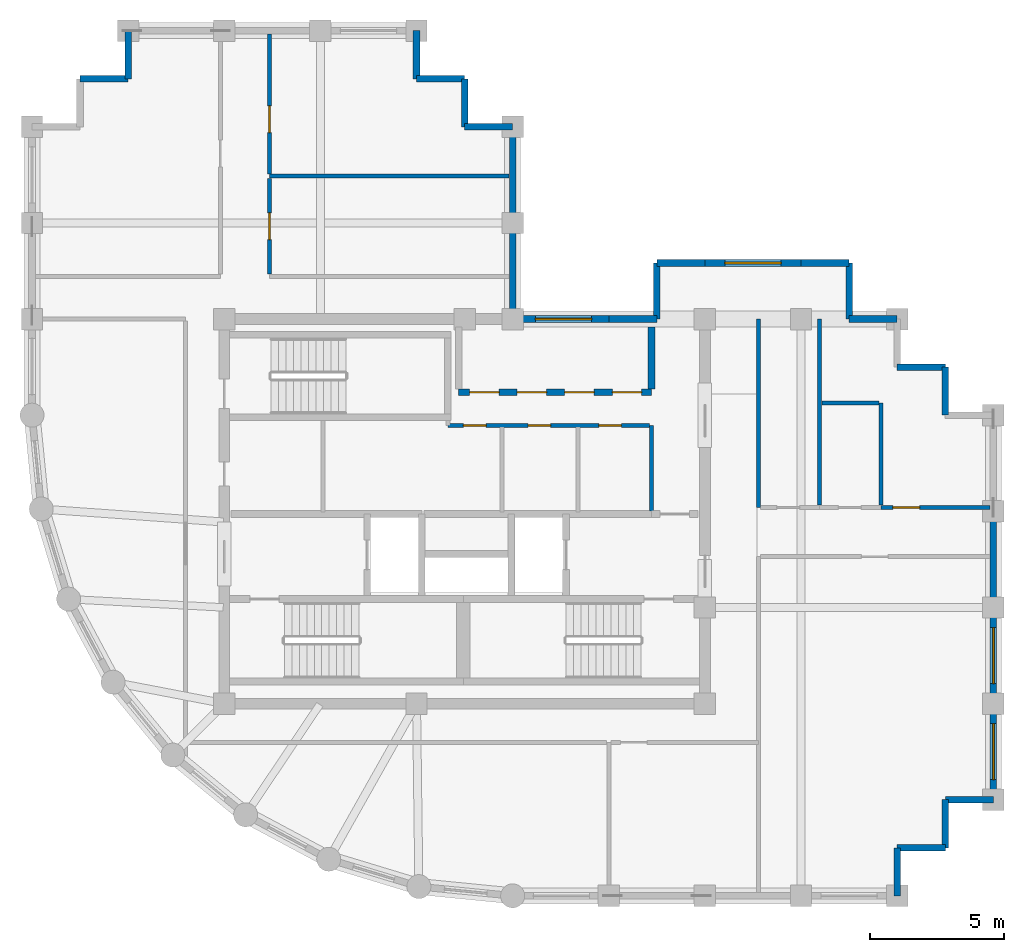
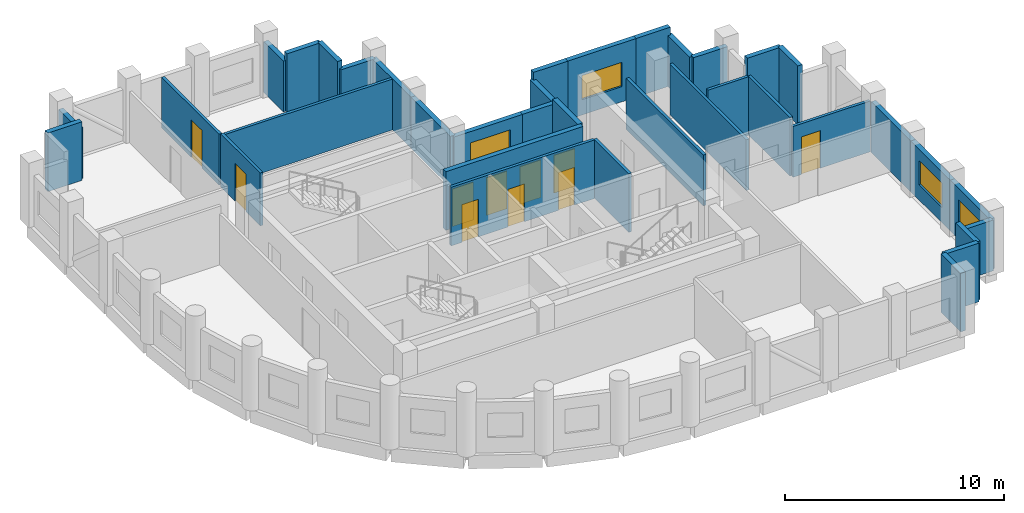
# One storey, part 4 of 6: 37 walls, 10 doors, 4 windows, 14 openings.
"""IFC4 building model written with IfcOpenShell, lengths in metres."""

from ifc_helpers import new_model, si_unit, direction, frame, frame_2d, origin, place, context, subcontext, project, spatial, rectangle, extrude, material, layer, layer_set, type_object, element, fill, save


model = new_model("IFC4")

# Units and contexts
model_context = context("Model", 3, precision=1e-05, world=origin(), true_north=direction((0.0, 1.0)))
body_context = subcontext(model_context, "Body", "Model", "MODEL_VIEW")
ifc_project = project(units=[si_unit("LENGTHUNIT", "METRE"), si_unit("AREAUNIT", "SQUARE_METRE"), si_unit("VOLUMEUNIT", "CUBIC_METRE"), si_unit("PLANEANGLEUNIT", "RADIAN"), si_unit("MASSUNIT", "GRAM", prefix="KILO")], contexts=[model_context])

# Site, building, storey
site_placement = place(None, origin())
site = spatial("IfcSite", under=ifc_project, at=site_placement, CompositionType="ELEMENT")
building_placement = place(site_placement, origin())
building = spatial("IfcBuilding", under=site, at=building_placement, Name="Solnavia Interchange Tower", CompositionType="ELEMENT")
storey_placement = place(building_placement, frame((0.0, 0.0, 246.199951171875)))
storey = spatial("IfcBuildingStorey", under=building, at=storey_placement, Name="L62", CompositionType="ELEMENT", Elevation=246.199951171875)

# Walls
ifc_material_1 = material(Name="Concrete C40/50", Category="concrete")
ifc_layer_1 = layer(ifc_material_1, 0.25)
ifc_layer_set_1 = layer_set([ifc_layer_1], Name="Concrete C40/50")
wall_type_1 = type_object("IfcWallType", Name="Wall-ExtSpandrel-250", PredefinedType="STANDARD", material=ifc_layer_set_1)
for number, where, z_axis, x_axis, name in (
    (1, (39.60009765625, 5.39990234375, 0.0), (0.0, 0.0, 1.0), (0.0, -1.0, 0.0), "EXW-L62-05 Exterior precast spandrel wall"),
    (2, (41.39990234375, 5.39990234375, 0.0), (0.0, 0.0, 1.0), (-1.0, 0.0, 0.0), "EXW-L62-06 Exterior precast spandrel wall"),
):
    element("IfcWall", number, at=place(storey_placement, frame(where, z_axis=z_axis, x_axis=x_axis)), inside=storey, type_object=wall_type_1, Name=name, PredefinedType="STANDARD", context=body_context, shape_type="SweptSolid", body=[
        extrude(rectangle(XDim=1.7998046875, YDim=0.25, at=frame_2d((0.89990234375, 0.0))), origin(), (0.0, 0.0, 1.0), 3.26513671875),
    ])
wall_1_placement = place(storey_placement, frame((41.39990234375, 7.199951171875, 0.0), z_axis=(0.0, 0.0, 1.0), x_axis=(0.0, -1.0, 0.0)))
element("IfcWall", 3, at=wall_1_placement, inside=storey, type_object=wall_type_1, Name="EXW-L62-07 Exterior precast spandrel wall", PredefinedType="STANDARD", context=body_context, shape_type="SweptSolid", body=[
    extrude(rectangle(XDim=1.800048828125, YDim=0.25, at=frame_2d((0.89990234375, 0.0))), origin(), (0.0, 0.0, 1.0), 3.26513671875),
])
wall_2_placement = place(storey_placement, frame((43.199951171875, 7.199951171875, 0.0), z_axis=(0.0, 0.0, 1.0), x_axis=(-1.0, 0.0, 0.0)))
element("IfcWall", 4, at=wall_2_placement, inside=storey, type_object=wall_type_1, Name="EXW-L62-08 Exterior precast spandrel wall", PredefinedType="STANDARD", context=body_context, shape_type="SweptSolid", body=[
    extrude(rectangle(XDim=1.800048828125, YDim=0.25, at=frame_2d((0.89990234375, 0.0))), origin(), (0.0, 0.0, 1.0), 2.830078125),
])

# Wall, opening, window
wall_3_placement = place(storey_placement, frame((43.199951171875, 10.800048828125, 0.0), z_axis=(0.0, 0.0, 1.0), x_axis=(0.0, -1.0, 0.0)))
wall_3 = element("IfcWall", 5, at=wall_3_placement, inside=storey, type_object=wall_type_1, Name="EXW-L62-09 Exterior precast spandrel wall", PredefinedType="STANDARD", context=body_context, shape_type="SweptSolid", body=[
    extrude(rectangle(XDim=3.60009765625, YDim=0.25, at=frame_2d((1.800048828125, 0.0))), origin(), (0.0, 0.0, 1.0), 2.830078125),
])
opening_1_placement = place(wall_3_placement, frame((0.75, 0.0, 0.85009765625)))
opening_1 = element("IfcOpeningElement", 6, at=opening_1_placement, cuts=wall_3, Name="Opening WIN-01", PredefinedType="OPENING", context=body_context, shape_type="SweptSolid", body=[
    extrude(rectangle(XDim=2.10009765625, YDim=1.35009765625, at=frame_2d((1.050048828125, 0.675048828125))), frame((0.0, 0.135009765625, 0.0), z_axis=(0.0, -1.0, 0.0), x_axis=(1.0, 0.0, 0.0)), (0.0, 0.0, 1.0), 0.27001953125),
])
ifc_material_2 = material(Name="Thermal-Break Aluminium & Low-E Glass", Category="aluminium")
window_type = type_object("IfcWindowType", Name="Window-Ribbon-2100x1350", PartitioningType="SINGLE_PANEL", PredefinedType="WINDOW", material=ifc_material_2)
window_1_placement = place(opening_1_placement, origin())
window_1 = element("IfcWindow", 7, at=window_1_placement, inside=storey, type_object=window_type, Name="WIN-L62-09 Facade ribbon window", OverallHeight=1.35009765625, OverallWidth=2.10009765625, PartitioningType="SINGLE_PANEL", PredefinedType="WINDOW", context=body_context, shape_type="SweptSolid", body=[
    extrude(rectangle(XDim=2.10009765625, YDim=1.35009765625, at=frame_2d((1.050048828125, 0.675048828125))), frame((0.0, 0.030029296875, 0.0), z_axis=(0.0, -1.0, 0.0), x_axis=(1.0, 0.0, 0.0)), (0.0, 0.0, 1.0), 0.06005859375),
])
fill(opening_1, window_1)

wall_4_placement = place(storey_placement, frame((43.199951171875, 14.39990234375, 0.0), z_axis=(0.0, 0.0, 1.0), x_axis=(0.0, -1.0, 0.0)))
wall_4 = element("IfcWall", 8, at=wall_4_placement, inside=storey, type_object=wall_type_1, Name="EXW-L62-10 Exterior precast spandrel wall", PredefinedType="STANDARD", context=body_context, shape_type="SweptSolid", body=[
    extrude(rectangle(XDim=3.599853515625, YDim=0.25, at=frame_2d((1.7998046875, 0.0))), origin(), (0.0, 0.0, 1.0), 2.830078125),
])
opening_2_placement = place(wall_4_placement, frame((0.75, 0.0, 0.85009765625)))
opening_2 = element("IfcOpeningElement", 9, at=opening_2_placement, cuts=wall_4, Name="Opening WIN-01", PredefinedType="OPENING", context=body_context, shape_type="SweptSolid", body=[
    extrude(rectangle(XDim=2.10009765625, YDim=1.35009765625, at=frame_2d((1.050048828125, 0.675048828125))), frame((0.0, 0.135009765625, 0.0), z_axis=(0.0, -1.0, 0.0), x_axis=(1.0, 0.0, 0.0)), (0.0, 0.0, 1.0), 0.27001953125),
])
window_2_placement = place(opening_2_placement, origin())
window_2 = element("IfcWindow", 10, at=window_2_placement, inside=storey, type_object=window_type, Name="WIN-L62-10 Facade ribbon window", OverallHeight=1.35009765625, OverallWidth=2.10009765625, PartitioningType="SINGLE_PANEL", PredefinedType="WINDOW", context=body_context, shape_type="SweptSolid", body=[
    extrude(rectangle(XDim=2.10009765625, YDim=1.35009765625, at=frame_2d((1.050048828125, 0.675048828125))), frame((0.0, 0.030029296875, 0.0), z_axis=(0.0, -1.0, 0.0), x_axis=(1.0, 0.0, 0.0)), (0.0, 0.0, 1.0), 0.06005859375),
])
fill(opening_2, window_2)

# Walls
wall_5_placement = place(storey_placement, frame((43.199951171875, 18.0, 0.0), z_axis=(0.0, 0.0, 1.0), x_axis=(0.0, -1.0, 0.0)))
element("IfcWall", 11, at=wall_5_placement, inside=storey, type_object=wall_type_1, Name="EXW-L62-11 Exterior precast spandrel wall", PredefinedType="STANDARD", context=body_context, shape_type="SweptSolid", body=[
    extrude(rectangle(XDim=3.60009765625, YDim=0.25, at=frame_2d((1.800048828125, 0.0))), origin(), (0.0, 0.0, 1.0), 2.830078125),
])
for number, where, z_axis, x_axis, name in (
    (12, (41.39990234375, 23.39990234375, 0.0), (0.0, 0.0, 1.0), (0.0, -1.0, 0.0), "EXW-L62-14 Exterior precast spandrel wall"),
    (13, (39.60009765625, 23.39990234375, 0.0), (0.0, 0.0, 1.0), (1.0, 0.0, 0.0), "EXW-L62-15 Exterior precast spandrel wall"),
):
    element("IfcWall", number, at=place(storey_placement, frame(where, z_axis=z_axis, x_axis=x_axis)), inside=storey, type_object=wall_type_1, Name=name, PredefinedType="STANDARD", context=body_context, shape_type="SweptSolid", body=[
        extrude(rectangle(XDim=1.7998046875, YDim=0.25, at=frame_2d((0.89990234375, 0.0))), origin(), (0.0, 0.0, 1.0), 3.26513671875),
    ])
wall_6_placement = place(storey_placement, frame((37.800048828125, 25.199951171875, 0.0), z_axis=(0.0, 0.0, 1.0), x_axis=(1.0, 0.0, 0.0)))
element("IfcWall", 14, at=wall_6_placement, inside=storey, type_object=wall_type_1, Name="EXW-L62-17 Exterior precast spandrel wall", PredefinedType="STANDARD", context=body_context, shape_type="SweptSolid", body=[
    extrude(rectangle(XDim=1.800048828125, YDim=0.25, at=frame_2d((0.89990234375, 0.0))), origin(), (0.0, 0.0, 1.0), 2.830078125),
])
wall_7_placement = place(storey_placement, frame((37.800048828125, 27.300048828125, 0.0), z_axis=(0.0, 0.0, 1.0), x_axis=(0.0, -1.0, 0.0)))
element("IfcWall", 15, at=wall_7_placement, inside=storey, type_object=wall_type_1, Name="EXW-L62-18 Exterior precast spandrel wall", PredefinedType="STANDARD", context=body_context, shape_type="SweptSolid", body=[
    extrude(rectangle(XDim=2.10009765625, YDim=0.25, at=frame_2d((1.050048828125, 0.0))), origin(), (0.0, 0.0, 1.0), 2.830078125),
])
wall_8_placement = place(storey_placement, frame((36.0, 27.300048828125, 0.0), z_axis=(0.0, 0.0, 1.0), x_axis=(1.0, 0.0, 0.0)))
element("IfcWall", 16, at=wall_8_placement, inside=storey, type_object=wall_type_1, Name="EXW-L62-19 Exterior precast spandrel wall", PredefinedType="STANDARD", context=body_context, shape_type="SweptSolid", body=[
    extrude(rectangle(XDim=1.800048828125, YDim=0.25, at=frame_2d((0.89990234375, 0.0))), origin(), (0.0, 0.0, 1.0), 3.26513671875),
])

# Wall, opening, window
wall_9_placement = place(storey_placement, frame((32.39990234375, 27.300048828125, 0.0), z_axis=(0.0, 0.0, 1.0), x_axis=(1.0, 0.0, 0.0)))
wall_9 = element("IfcWall", 17, at=wall_9_placement, inside=storey, type_object=wall_type_1, Name="EXW-L62-20 Exterior precast spandrel wall", PredefinedType="STANDARD", context=body_context, shape_type="SweptSolid", body=[
    extrude(rectangle(XDim=3.60009765625, YDim=0.25, at=frame_2d((1.800048828125, 0.0))), origin(), (0.0, 0.0, 1.0), 3.26513671875),
])
opening_3_placement = place(wall_9_placement, frame((0.75, 0.0, 0.85009765625)))
opening_3 = element("IfcOpeningElement", 18, at=opening_3_placement, cuts=wall_9, Name="Opening WIN-01", PredefinedType="OPENING", context=body_context, shape_type="SweptSolid", body=[
    extrude(rectangle(XDim=2.10009765625, YDim=1.35009765625, at=frame_2d((1.050048828125, 0.675048828125))), frame((0.0, 0.135009765625, 0.0), z_axis=(0.0, -1.0, 0.0), x_axis=(1.0, 0.0, 0.0)), (0.0, 0.0, 1.0), 0.27001953125),
])
window_3_placement = place(opening_3_placement, origin())
window_3 = element("IfcWindow", 19, at=window_3_placement, inside=storey, type_object=window_type, Name="WIN-L62-20 Facade ribbon window", OverallHeight=1.35009765625, OverallWidth=2.10009765625, PartitioningType="SINGLE_PANEL", PredefinedType="WINDOW", context=body_context, shape_type="SweptSolid", body=[
    extrude(rectangle(XDim=2.10009765625, YDim=1.35009765625, at=frame_2d((1.050048828125, 0.675048828125))), frame((0.0, 0.030029296875, 0.0), z_axis=(0.0, -1.0, 0.0), x_axis=(1.0, 0.0, 0.0)), (0.0, 0.0, 1.0), 0.06005859375),
])
fill(opening_3, window_3)

# Walls
wall_10_placement = place(storey_placement, frame((30.60009765625, 27.300048828125, 0.0), z_axis=(0.0, 0.0, 1.0), x_axis=(1.0, 0.0, 0.0)))
element("IfcWall", 20, at=wall_10_placement, inside=storey, type_object=wall_type_1, Name="EXW-L62-21 Exterior precast spandrel wall", PredefinedType="STANDARD", context=body_context, shape_type="SweptSolid", body=[
    extrude(rectangle(XDim=1.7998046875, YDim=0.25, at=frame_2d((0.89990234375, 0.0))), origin(), (0.0, 0.0, 1.0), 3.26513671875),
])
wall_11_placement = place(storey_placement, frame((30.60009765625, 27.300048828125, 0.0), z_axis=(0.0, 0.0, 1.0), x_axis=(0.0, -1.0, 0.0)))
element("IfcWall", 21, at=wall_11_placement, inside=storey, type_object=wall_type_1, Name="EXW-L62-22 Exterior precast spandrel wall", PredefinedType="STANDARD", context=body_context, shape_type="SweptSolid", body=[
    extrude(rectangle(XDim=2.10009765625, YDim=0.25, at=frame_2d((1.050048828125, 0.0))), origin(), (0.0, 0.0, 1.0), 2.830078125),
])
wall_12_placement = place(storey_placement, frame((28.800048828125, 25.199951171875, 0.0), z_axis=(0.0, 0.0, 1.0), x_axis=(1.0, 0.0, 0.0)))
element("IfcWall", 22, at=wall_12_placement, inside=storey, type_object=wall_type_1, Name="EXW-L62-23 Exterior precast spandrel wall", PredefinedType="STANDARD", context=body_context, shape_type="SweptSolid", body=[
    extrude(rectangle(XDim=1.800048828125, YDim=0.25, at=frame_2d((0.89990234375, 0.0))), origin(), (0.0, 0.0, 1.0), 2.830078125),
])

# Wall, opening, window
wall_13_placement = place(storey_placement, frame((25.199951171875, 25.199951171875, 0.0), z_axis=(0.0, 0.0, 1.0), x_axis=(1.0, 0.0, 0.0)))
wall_13 = element("IfcWall", 23, at=wall_13_placement, inside=storey, type_object=wall_type_1, Name="EXW-L62-24 Exterior precast spandrel wall", PredefinedType="STANDARD", context=body_context, shape_type="SweptSolid", body=[
    extrude(rectangle(XDim=3.60009765625, YDim=0.25, at=frame_2d((1.800048828125, 0.0))), origin(), (0.0, 0.0, 1.0), 2.830078125),
])
opening_4_placement = place(wall_13_placement, frame((0.85498046875, 0.0, 0.85009765625)))
opening_4 = element("IfcOpeningElement", 24, at=opening_4_placement, cuts=wall_13, Name="Opening WIN-01", PredefinedType="OPENING", context=body_context, shape_type="SweptSolid", body=[
    extrude(rectangle(XDim=2.10009765625, YDim=1.35009765625, at=frame_2d((1.050048828125, 0.675048828125))), frame((0.0, 0.135009765625, 0.0), z_axis=(0.0, -1.0, 0.0), x_axis=(1.0, 0.0, 0.0)), (0.0, 0.0, 1.0), 0.27001953125),
])
window_4_placement = place(opening_4_placement, origin())
window_4 = element("IfcWindow", 25, at=window_4_placement, inside=storey, type_object=window_type, Name="WIN-L62-24 Facade ribbon window", OverallHeight=1.35009765625, OverallWidth=2.10009765625, PartitioningType="SINGLE_PANEL", PredefinedType="WINDOW", context=body_context, shape_type="SweptSolid", body=[
    extrude(rectangle(XDim=2.10009765625, YDim=1.35009765625, at=frame_2d((1.050048828125, 0.675048828125))), frame((0.0, 0.030029296875, 0.0), z_axis=(0.0, -1.0, 0.0), x_axis=(1.0, 0.0, 0.0)), (0.0, 0.0, 1.0), 0.06005859375),
])
fill(opening_4, window_4)

# Walls
wall_14_placement = place(storey_placement, frame((25.199951171875, 28.800048828125, 0.0), z_axis=(0.0, 0.0, 1.0), x_axis=(0.0, -1.0, 0.0)))
element("IfcWall", 26, at=wall_14_placement, inside=storey, type_object=wall_type_1, Name="EXW-L62-25 Exterior precast spandrel wall", PredefinedType="STANDARD", context=body_context, shape_type="SweptSolid", body=[
    extrude(rectangle(XDim=3.60009765625, YDim=0.25, at=frame_2d((1.800048828125, 0.0))), origin(), (0.0, 0.0, 1.0), 2.830078125),
])
wall_15_placement = place(storey_placement, frame((25.199951171875, 32.39990234375, 0.0), z_axis=(0.0, 0.0, 1.0), x_axis=(0.0, -1.0, 0.0)))
element("IfcWall", 27, at=wall_15_placement, inside=storey, type_object=wall_type_1, Name="EXW-L62-26 Exterior precast spandrel wall", PredefinedType="STANDARD", context=body_context, shape_type="SweptSolid", body=[
    extrude(rectangle(XDim=3.599853515625, YDim=0.25, at=frame_2d((1.7998046875, 0.0))), origin(), (0.0, 0.0, 1.0), 2.830078125),
])
wall_16_placement = place(storey_placement, frame((23.39990234375, 32.39990234375, 0.0), z_axis=(0.0, 0.0, 1.0), x_axis=(1.0, 0.0, 0.0)))
element("IfcWall", 28, at=wall_16_placement, inside=storey, type_object=wall_type_1, Name="EXW-L62-27 Exterior precast spandrel wall", PredefinedType="STANDARD", context=body_context, shape_type="SweptSolid", body=[
    extrude(rectangle(XDim=1.800048828125, YDim=0.25, at=frame_2d((0.89990234375, 0.0))), origin(), (0.0, 0.0, 1.0), 2.830078125),
])
wall_17_placement = place(storey_placement, frame((23.39990234375, 32.39990234375, 0.0), z_axis=(0.0, 0.0, 1.0), x_axis=(0.0, 1.0, 0.0)))
element("IfcWall", 29, at=wall_17_placement, inside=storey, type_object=wall_type_1, Name="EXW-L62-28 Exterior precast spandrel wall", PredefinedType="STANDARD", context=body_context, shape_type="SweptSolid", body=[
    extrude(rectangle(XDim=1.800048828125, YDim=0.25, at=frame_2d((0.89990234375, 0.0))), origin(), (0.0, 0.0, 1.0), 3.26513671875),
])
wall_18_placement = place(storey_placement, frame((21.60009765625, 34.199951171875, 0.0), z_axis=(0.0, 0.0, 1.0), x_axis=(1.0, 0.0, 0.0)))
element("IfcWall", 30, at=wall_18_placement, inside=storey, type_object=wall_type_1, Name="EXW-L62-29 Exterior precast spandrel wall", PredefinedType="STANDARD", context=body_context, shape_type="SweptSolid", body=[
    extrude(rectangle(XDim=1.7998046875, YDim=0.25, at=frame_2d((0.89990234375, 0.0))), origin(), (0.0, 0.0, 1.0), 3.26513671875),
])
for number, where, z_axis, x_axis, name in (
    (31, (21.60009765625, 34.199951171875, 0.0), (0.0, 0.0, 1.0), (0.0, 1.0, 0.0), "EXW-L62-30 Exterior precast spandrel wall"),
    (32, (10.800048828125, 34.199951171875, 0.0), (0.0, 0.0, 1.0), (0.0, 1.0, 0.0), "EXW-L62-34 Exterior precast spandrel wall"),
):
    element("IfcWall", number, at=place(storey_placement, frame(where, z_axis=z_axis, x_axis=x_axis)), inside=storey, type_object=wall_type_1, Name=name, PredefinedType="STANDARD", context=body_context, shape_type="SweptSolid", body=[
        extrude(rectangle(XDim=1.800048828125, YDim=0.25, at=frame_2d((0.89990234375, 0.0))), origin(), (0.0, 0.0, 1.0), 2.830078125),
    ])
wall_19_placement = place(storey_placement, frame((9.0, 34.199951171875, 0.0), z_axis=(0.0, 0.0, 1.0), x_axis=(1.0, 0.0, 0.0)))
element("IfcWall", 33, at=wall_19_placement, inside=storey, type_object=wall_type_1, Name="EXW-L62-35 Exterior precast spandrel wall", PredefinedType="STANDARD", context=body_context, shape_type="SweptSolid", body=[
    extrude(rectangle(XDim=1.800048828125, YDim=0.25, at=frame_2d((0.89990234375, 0.0))), origin(), (0.0, 0.0, 1.0), 3.26513671875),
])

# Wall, openings, doors
ifc_material_3 = material(Name="Gypsum Plasterboard & Steel Stud", Category="steel")
ifc_layer_2 = layer(ifc_material_3, 0.14990234375)
ifc_layer_set_2 = layer_set([ifc_layer_2], Name="Gypsum Plasterboard & Steel Stud")
wall_type_2 = type_object("IfcWallType", Name="Wall-Partition-150", PredefinedType="PARTITIONING", material=ifc_layer_set_2)
wall_20_placement = place(storey_placement, frame((22.77490234375, 21.219970703125, 0.0), z_axis=(0.0, 0.0, 1.0), x_axis=(1.0, 0.0, 0.0)))
wall_20 = element("IfcWall", 34, at=wall_20_placement, inside=storey, type_object=wall_type_2, Name="CSW-L62-N-ALL Core shaft wall", PredefinedType="PARTITIONING", context=body_context, shape_type="SweptSolid", body=[
    extrude(rectangle(XDim=7.545166015625, YDim=0.14990234375, at=frame_2d((3.7724609375, 0.0))), origin(), (0.0, 0.0, 1.0), 3.26513671875),
])
opening_5_placement = place(wall_20_placement, frame((0.580078125, 0.0, 0.0)))
opening_5 = element("IfcOpeningElement", 35, at=opening_5_placement, cuts=wall_20, Name="Opening DR-10", PredefinedType="OPENING", context=body_context, shape_type="SweptSolid", body=[
    extrude(rectangle(XDim=0.85009765625, YDim=2.10009765625, at=frame_2d((0.425048828125, 1.050048828125))), frame((0.0, 0.0849609375, 0.0), z_axis=(0.0, -1.0, 0.0), x_axis=(1.0, 0.0, 0.0)), (0.0, 0.0, 1.0), 0.169921875),
])
opening_6_placement = place(wall_20_placement, frame((3.0, 0.0, 0.0)))
opening_6 = element("IfcOpeningElement", 36, at=opening_6_placement, cuts=wall_20, Name="Opening DR-10", PredefinedType="OPENING", context=body_context, shape_type="SweptSolid", body=[
    extrude(rectangle(XDim=0.85009765625, YDim=2.10009765625, at=frame_2d((0.425048828125, 1.050048828125))), frame((0.0, 0.0849609375, 0.0), z_axis=(0.0, -1.0, 0.0), x_axis=(1.0, 0.0, 0.0)), (0.0, 0.0, 1.0), 0.169921875),
])
opening_7_placement = place(wall_20_placement, frame((5.64990234375, 0.0, 0.0)))
opening_7 = element("IfcOpeningElement", 37, at=opening_7_placement, cuts=wall_20, Name="Opening DR-10", PredefinedType="OPENING", context=body_context, shape_type="SweptSolid", body=[
    extrude(rectangle(XDim=0.85009765625, YDim=2.10009765625, at=frame_2d((0.425048828125, 1.050048828125))), frame((0.0, 0.0849609375, 0.0), z_axis=(0.0, -1.0, 0.0), x_axis=(1.0, 0.0, 0.0)), (0.0, 0.0, 1.0), 0.169921875),
])
ifc_material_4 = material(Name="Moisture-Resistant Timber Door", Category="wood")
door_type_1 = type_object("IfcDoorType", Name="Door-Bathroom-850x2100", OperationType="SINGLE_SWING_RIGHT", PredefinedType="DOOR", material=ifc_material_4)
door_1_placement = place(opening_5_placement, origin())
door_1 = element("IfcDoor", 38, at=door_1_placement, inside=storey, type_object=door_type_1, Name="DR-L62-CS2 Core fire door", OperationType="SINGLE_SWING_LEFT", OverallHeight=2.10009765625, OverallWidth=0.85009765625, PredefinedType="DOOR", context=body_context, shape_type="SweptSolid", body=[
    extrude(rectangle(XDim=0.85009765625, YDim=2.10009765625, at=frame_2d((0.425048828125, 1.050048828125))), frame((0.0, 0.02490234375, 0.0), z_axis=(0.0, -1.0, 0.0), x_axis=(1.0, 0.0, 0.0)), (0.0, 0.0, 1.0), 0.050048828125),
])
fill(opening_5, door_1)
door_2_placement = place(opening_6_placement, origin())
door_2 = element("IfcDoor", 39, at=door_2_placement, inside=storey, type_object=door_type_1, Name="DR-L62-CS3 Core fire door", OperationType="SINGLE_SWING_LEFT", OverallHeight=2.10009765625, OverallWidth=0.85009765625, PredefinedType="DOOR", context=body_context, shape_type="SweptSolid", body=[
    extrude(rectangle(XDim=0.85009765625, YDim=2.10009765625, at=frame_2d((0.425048828125, 1.050048828125))), frame((0.0, 0.02490234375, 0.0), z_axis=(0.0, -1.0, 0.0), x_axis=(1.0, 0.0, 0.0)), (0.0, 0.0, 1.0), 0.050048828125),
])
fill(opening_6, door_2)
door_3_placement = place(opening_7_placement, origin())
door_3 = element("IfcDoor", 40, at=door_3_placement, inside=storey, type_object=door_type_1, Name="DR-L62-CS4 Core fire door", OperationType="SINGLE_SWING_RIGHT", OverallHeight=2.10009765625, OverallWidth=0.85009765625, PredefinedType="DOOR", context=body_context, shape_type="SweptSolid", body=[
    extrude(rectangle(XDim=0.85009765625, YDim=2.10009765625, at=frame_2d((0.425048828125, 1.050048828125))), frame((0.0, 0.02490234375, 0.0), z_axis=(0.0, -1.0, 0.0), x_axis=(1.0, 0.0, 0.0)), (0.0, 0.0, 1.0), 0.050048828125),
])
fill(opening_7, door_3)

# Wall
wall_21_placement = place(storey_placement, frame((30.39990234375, 18.02001953125, 0.0), z_axis=(0.0, 0.0, 1.0), x_axis=(0.0, 1.0, 0.0)))
element("IfcWall", 41, at=wall_21_placement, inside=storey, type_object=wall_type_2, Name="CSW-L62-E-E Core shaft wall", PredefinedType="PARTITIONING", context=body_context, shape_type="SweptSolid", body=[
    extrude(rectangle(XDim=3.199951171875, YDim=0.14990234375, at=frame_2d((1.60009765625, 0.0))), origin(), (0.0, 0.0, 1.0), 3.26513671875),
])

# Wall, opening, door
wall_22_placement = place(storey_placement, frame((39.0, 18.14990234375, 0.0), z_axis=(0.0, 0.0, 1.0), x_axis=(1.0, 0.0, 0.0)))
wall_22 = element("IfcWall", 42, at=wall_22_placement, inside=storey, type_object=wall_type_2, Name="PTW-L62-14 Interior partition wall", PredefinedType="PARTITIONING", context=body_context, shape_type="SweptSolid", body=[
    extrude(rectangle(XDim=4.071044921875, YDim=0.14990234375, at=frame_2d((2.03564453125, 0.0))), origin(), (0.0, 0.0, 1.0), 2.830078125),
])
opening_8_placement = place(wall_22_placement, frame((0.43798828125, 0.0, 0.0)))
opening_8 = element("IfcOpeningElement", 43, at=opening_8_placement, cuts=wall_22, Name="Opening DR-07", PredefinedType="OPENING", context=body_context, shape_type="SweptSolid", body=[
    extrude(rectangle(XDim=1.0, YDim=2.10009765625, at=frame_2d((0.5, 1.050048828125))), frame((0.0, 0.0849609375, 0.0), z_axis=(0.0, -1.0, 0.0), x_axis=(1.0, 0.0, 0.0)), (0.0, 0.0, 1.0), 0.169921875),
])
ifc_material_5 = material(Name="Timber & Acoustic Glazed Office Door", Category="wood")
door_type_2 = type_object("IfcDoorType", Name="Door-Office-1000x2100", OperationType="SINGLE_SWING_RIGHT", PredefinedType="DOOR", material=ifc_material_5)
door_4_placement = place(opening_8_placement, origin())
door_4 = element("IfcDoor", 44, at=door_4_placement, inside=storey, type_object=door_type_2, Name="DR-L62-06 Interior room door", OperationType="SINGLE_SWING_RIGHT", OverallHeight=2.10009765625, OverallWidth=1.0, PredefinedType="DOOR", context=body_context, shape_type="SweptSolid", body=[
    extrude(rectangle(XDim=1.0, YDim=2.10009765625, at=frame_2d((0.5, 1.050048828125))), frame((0.0, 0.02490234375, 0.0), z_axis=(0.0, -1.0, 0.0), x_axis=(1.0, 0.0, 0.0)), (0.0, 0.0, 1.0), 0.050048828125),
])
fill(opening_8, door_4)

# Wall
wall_23_placement = place(storey_placement, frame((16.10009765625, 30.550048828125, 0.0), z_axis=(0.0, 0.0, 1.0), x_axis=(1.0, 0.0, 0.0)))
element("IfcWall", 45, at=wall_23_placement, inside=storey, type_object=wall_type_2, Name="PTW-L62-18 Interior partition wall", PredefinedType="PARTITIONING", context=body_context, shape_type="SweptSolid", body=[
    extrude(rectangle(XDim=8.970947265625, YDim=0.14990234375, at=frame_2d((4.4853515625, 0.0))), origin(), (0.0, 0.0, 1.0), 2.830078125),
])

# Wall, opening, door
wall_24_placement = place(storey_placement, frame((16.10009765625, 26.87890625, 0.0), z_axis=(0.0, 0.0, 1.0), x_axis=(0.0, 1.0, 0.0)))
wall_24 = element("IfcWall", 46, at=wall_24_placement, inside=storey, type_object=wall_type_2, Name="PTW-L62-19 Interior partition wall", PredefinedType="PARTITIONING", context=body_context, shape_type="SweptSolid", body=[
    extrude(rectangle(XDim=3.592041015625, YDim=0.14990234375, at=frame_2d((1.7958984375, 0.0))), origin(), (0.0, 0.0, 1.0), 2.949951171875),
])
opening_9_placement = place(wall_24_placement, frame((1.2958984375, 0.0, 0.0)))
opening_9 = element("IfcOpeningElement", 47, at=opening_9_placement, cuts=wall_24, Name="Opening DR-07", PredefinedType="OPENING", context=body_context, shape_type="SweptSolid", body=[
    extrude(rectangle(XDim=1.0, YDim=2.10009765625, at=frame_2d((0.5, 1.050048828125))), frame((0.0, 0.0849609375, 0.0), z_axis=(0.0, -1.0, 0.0), x_axis=(1.0, 0.0, 0.0)), (0.0, 0.0, 1.0), 0.169921875),
])
door_5_placement = place(opening_9_placement, origin())
door_5 = element("IfcDoor", 48, at=door_5_placement, inside=storey, type_object=door_type_2, Name="DR-L62-08 Interior room door", OperationType="SINGLE_SWING_LEFT", OverallHeight=2.10009765625, OverallWidth=1.0, PredefinedType="DOOR", context=body_context, shape_type="SweptSolid", body=[
    extrude(rectangle(XDim=1.0, YDim=2.10009765625, at=frame_2d((0.5, 1.050048828125))), frame((0.0, 0.02490234375, 0.0), z_axis=(0.0, -1.0, 0.0), x_axis=(1.0, 0.0, 0.0)), (0.0, 0.0, 1.0), 0.050048828125),
])
fill(opening_9, door_5)

wall_25_placement = place(storey_placement, frame((16.10009765625, 30.62890625, 0.0), z_axis=(0.0, 0.0, 1.0), x_axis=(0.0, 1.0, 0.0)))
wall_25 = element("IfcWall", 49, at=wall_25_placement, inside=storey, type_object=wall_type_2, Name="PTW-L62-20 Interior partition wall", PredefinedType="PARTITIONING", context=body_context, shape_type="SweptSolid", body=[
    extrude(rectangle(XDim=5.2421875, YDim=0.14990234375, at=frame_2d((2.62109375, 0.0))), origin(), (0.0, 0.0, 1.0), 2.830078125),
])
opening_10_placement = place(wall_25_placement, frame((1.551025390625, 0.0, 0.0)))
opening_10 = element("IfcOpeningElement", 50, at=opening_10_placement, cuts=wall_25, Name="Opening DR-07", PredefinedType="OPENING", context=body_context, shape_type="SweptSolid", body=[
    extrude(rectangle(XDim=1.0, YDim=2.10009765625, at=frame_2d((0.5, 1.050048828125))), frame((0.0, 0.0849609375, 0.0), z_axis=(0.0, -1.0, 0.0), x_axis=(1.0, 0.0, 0.0)), (0.0, 0.0, 1.0), 0.169921875),
])
door_6_placement = place(opening_10_placement, origin())
door_6 = element("IfcDoor", 51, at=door_6_placement, inside=storey, type_object=door_type_2, Name="DR-L62-09 Interior room door", OperationType="SINGLE_SWING_LEFT", OverallHeight=2.10009765625, OverallWidth=1.0, PredefinedType="DOOR", context=body_context, shape_type="SweptSolid", body=[
    extrude(rectangle(XDim=1.0, YDim=2.10009765625, at=frame_2d((0.5, 1.050048828125))), frame((0.0, 0.02490234375, 0.0), z_axis=(0.0, -1.0, 0.0), x_axis=(1.0, 0.0, 0.0)), (0.0, 0.0, 1.0), 0.050048828125),
])
fill(opening_10, door_6)

# Wall, openings, doors
ifc_layer_3 = layer(ifc_material_1, 0.25)
ifc_layer_set_3 = layer_set([ifc_layer_3], Name="Concrete C40/50")
wall_type_3 = type_object("IfcWallType", Name="Wall-ShaftPart-250", PredefinedType="PARTITIONING", material=ifc_layer_set_3)
wall_26_placement = place(storey_placement, frame((23.179931640625, 22.4599609375, 0.0), z_axis=(0.0, 0.0, 1.0), x_axis=(1.0, 0.0, 0.0)))
wall_26 = element("IfcWall", 52, at=wall_26_placement, inside=storey, type_object=wall_type_3, Name="SHW-L62-B3S Core shaft wall", PredefinedType="PARTITIONING", context=body_context, shape_type="SweptSolid", body=[
    extrude(rectangle(XDim=7.219970703125, YDim=0.25, at=frame_2d((3.60986328125, 0.0))), origin(), (0.0, 0.0, 1.0), 3.26513671875),
])
opening_11_placement = place(wall_26_placement, frame((0.409912109375, 0.0, 0.0)))
opening_11 = element("IfcOpeningElement", 53, at=opening_11_placement, cuts=wall_26, Name="Opening LD-01", PredefinedType="OPENING", context=body_context, shape_type="SweptSolid", body=[
    extrude(rectangle(XDim=1.10009765625, YDim=2.10009765625, at=frame_2d((0.550048828125, 1.050048828125))), frame((0.0, 0.135009765625, 0.0), z_axis=(0.0, -1.0, 0.0), x_axis=(1.0, 0.0, 0.0)), (0.0, 0.0, 1.0), 0.27001953125),
])
opening_12_placement = place(wall_26_placement, frame((2.18994140625, 0.0, 0.0)))
opening_12 = element("IfcOpeningElement", 54, at=opening_12_placement, cuts=wall_26, Name="Opening LD-01", PredefinedType="OPENING", context=body_context, shape_type="SweptSolid", body=[
    extrude(rectangle(XDim=1.10009765625, YDim=2.10009765625, at=frame_2d((0.550048828125, 1.050048828125))), frame((0.0, 0.135009765625, 0.0), z_axis=(0.0, -1.0, 0.0), x_axis=(1.0, 0.0, 0.0)), (0.0, 0.0, 1.0), 0.27001953125),
])
opening_13_placement = place(wall_26_placement, frame((3.969970703125, 0.0, 0.0)))
opening_13 = element("IfcOpeningElement", 55, at=opening_13_placement, cuts=wall_26, Name="Opening LD-01", PredefinedType="OPENING", context=body_context, shape_type="SweptSolid", body=[
    extrude(rectangle(XDim=1.10009765625, YDim=2.10009765625, at=frame_2d((0.550048828125, 1.050048828125))), frame((0.0, 0.135009765625, 0.0), z_axis=(0.0, -1.0, 0.0), x_axis=(1.0, 0.0, 0.0)), (0.0, 0.0, 1.0), 0.27001953125),
])
opening_14_placement = place(wall_26_placement, frame((5.75, 0.0, 0.0)))
opening_14 = element("IfcOpeningElement", 56, at=opening_14_placement, cuts=wall_26, Name="Opening LD-01", PredefinedType="OPENING", context=body_context, shape_type="SweptSolid", body=[
    extrude(rectangle(XDim=1.10009765625, YDim=2.10009765625, at=frame_2d((0.550048828125, 1.050048828125))), frame((0.0, 0.135009765625, 0.0), z_axis=(0.0, -1.0, 0.0), x_axis=(1.0, 0.0, 0.0)), (0.0, 0.0, 1.0), 0.27001953125),
])
ifc_material_6 = material(Name="Brushed Stainless Steel Sliding Door", Category="steel")
door_type_3 = type_object("IfcDoorType", Name="Door-LiftLanding-1100x2100", OperationType="SLIDING_TO_LEFT", PredefinedType="DOOR", material=ifc_material_6)
door_7_placement = place(opening_11_placement, origin())
door_7 = element("IfcDoor", 57, at=door_7_placement, inside=storey, type_object=door_type_3, Name="LD-L62-B3-1 Lift landing sliding door", OperationType="SLIDING_TO_LEFT", OverallHeight=2.10009765625, OverallWidth=1.10009765625, PredefinedType="DOOR", context=body_context, shape_type="SweptSolid", body=[
    extrude(rectangle(XDim=1.10009765625, YDim=2.10009765625, at=frame_2d((0.550048828125, 1.050048828125))), frame((0.0, 0.02490234375, 0.0), z_axis=(0.0, -1.0, 0.0), x_axis=(1.0, 0.0, 0.0)), (0.0, 0.0, 1.0), 0.050048828125),
])
fill(opening_11, door_7)
door_8_placement = place(opening_12_placement, origin())
door_8 = element("IfcDoor", 58, at=door_8_placement, inside=storey, type_object=door_type_3, Name="LD-L62-B3-2 Lift landing sliding door", OperationType="SLIDING_TO_LEFT", OverallHeight=2.10009765625, OverallWidth=1.10009765625, PredefinedType="DOOR", context=body_context, shape_type="SweptSolid", body=[
    extrude(rectangle(XDim=1.10009765625, YDim=2.10009765625, at=frame_2d((0.550048828125, 1.050048828125))), frame((0.0, 0.02490234375, 0.0), z_axis=(0.0, -1.0, 0.0), x_axis=(1.0, 0.0, 0.0)), (0.0, 0.0, 1.0), 0.050048828125),
])
fill(opening_12, door_8)
door_9_placement = place(opening_13_placement, origin())
door_9 = element("IfcDoor", 59, at=door_9_placement, inside=storey, type_object=door_type_3, Name="LD-L62-B3-3 Lift landing sliding door", OperationType="SLIDING_TO_LEFT", OverallHeight=2.10009765625, OverallWidth=1.10009765625, PredefinedType="DOOR", context=body_context, shape_type="SweptSolid", body=[
    extrude(rectangle(XDim=1.10009765625, YDim=2.10009765625, at=frame_2d((0.550048828125, 1.050048828125))), frame((0.0, 0.02490234375, 0.0), z_axis=(0.0, -1.0, 0.0), x_axis=(1.0, 0.0, 0.0)), (0.0, 0.0, 1.0), 0.050048828125),
])
fill(opening_13, door_9)
door_10_placement = place(opening_14_placement, origin())
door_10 = element("IfcDoor", 60, at=door_10_placement, inside=storey, type_object=door_type_3, Name="LD-L62-B3-4 Lift landing sliding door", OperationType="SLIDING_TO_LEFT", OverallHeight=2.10009765625, OverallWidth=1.10009765625, PredefinedType="DOOR", context=body_context, shape_type="SweptSolid", body=[
    extrude(rectangle(XDim=1.10009765625, YDim=2.10009765625, at=frame_2d((0.550048828125, 1.050048828125))), frame((0.0, 0.02490234375, 0.0), z_axis=(0.0, -1.0, 0.0), x_axis=(1.0, 0.0, 0.0)), (0.0, 0.0, 1.0), 0.050048828125),
])
fill(opening_14, door_10)

# Walls
wall_27_placement = place(storey_placement, frame((30.39990234375, 22.5849609375, 0.0), z_axis=(0.0, 0.0, 1.0), x_axis=(0.0, 1.0, 0.0)))
element("IfcWall", 61, at=wall_27_placement, inside=storey, type_object=wall_type_3, Name="SHW-L62-B3E Core shaft wall", PredefinedType="PARTITIONING", context=body_context, shape_type="SweptSolid", body=[
    extrude(rectangle(XDim=2.31494140625, YDim=0.25, at=frame_2d((1.157470703125, 0.0))), origin(), (0.0, 0.0, 1.0), 3.26513671875),
])
ifc_material_7 = material(Name="Moisture-Resistant Gypsum & Steel Stud", Category="steel")
ifc_layer_4 = layer(ifc_material_7, 0.14990234375)
ifc_layer_set_4 = layer_set([ifc_layer_4], Name="Moisture-Resistant Gypsum & Steel Stud")
wall_type_4 = type_object("IfcWallType", Name="Wall-WetRoom-150", PredefinedType="PARTITIONING", material=ifc_layer_set_4)
wall_28_placement = place(storey_placement, frame((34.39990234375, 18.14990234375, 0.0), z_axis=(0.0, 0.0, 1.0), x_axis=(0.0, 1.0, 0.0)))
element("IfcWall", 62, at=wall_28_placement, inside=storey, type_object=wall_type_4, Name="PTW-L62-01 Interior partition wall", PredefinedType="PARTITIONING", context=body_context, shape_type="SweptSolid", body=[
    extrude(rectangle(XDim=7.050048828125, YDim=0.14990234375, at=frame_2d((3.52490234375, 0.0))), origin(), (0.0, 0.0, 1.0), 2.830078125),
])
wall_29_placement = place(storey_placement, frame((36.699951171875, 18.22900390625, 0.0), z_axis=(0.0, 0.0, 1.0), x_axis=(0.0, 1.0, 0.0)))
element("IfcWall", 63, at=wall_29_placement, inside=storey, type_object=wall_type_4, Name="PTW-L62-03 Interior partition wall", PredefinedType="PARTITIONING", context=body_context, shape_type="SweptSolid", body=[
    extrude(rectangle(XDim=6.970947265625, YDim=0.14990234375, at=frame_2d((3.4853515625, 0.0))), origin(), (0.0, 0.0, 1.0), 2.830078125),
])
wall_30_placement = place(storey_placement, frame((39.0, 18.22900390625, 0.0), z_axis=(0.0, 0.0, 1.0), x_axis=(0.0, 1.0, 0.0)))
element("IfcWall", 64, at=wall_30_placement, inside=storey, type_object=wall_type_4, Name="PTW-L62-05 Interior partition wall", PredefinedType="PARTITIONING", context=body_context, shape_type="SweptSolid", body=[
    extrude(rectangle(XDim=3.821044921875, YDim=0.14990234375, at=frame_2d((1.91064453125, 0.0))), origin(), (0.0, 0.0, 1.0), 3.26513671875),
])
wall_31_placement = place(storey_placement, frame((36.779052734375, 22.050048828125, 0.0), z_axis=(0.0, 0.0, 1.0), x_axis=(1.0, 0.0, 0.0)))
element("IfcWall", 65, at=wall_31_placement, inside=storey, type_object=wall_type_4, Name="PTW-L62-06 Interior partition wall", PredefinedType="PARTITIONING", context=body_context, shape_type="SweptSolid", body=[
    extrude(rectangle(XDim=2.141845703125, YDim=0.14990234375, at=frame_2d((1.07080078125, 0.0))), origin(), (0.0, 0.0, 1.0), 3.26513671875),
])

save(model, "model.ifc")
